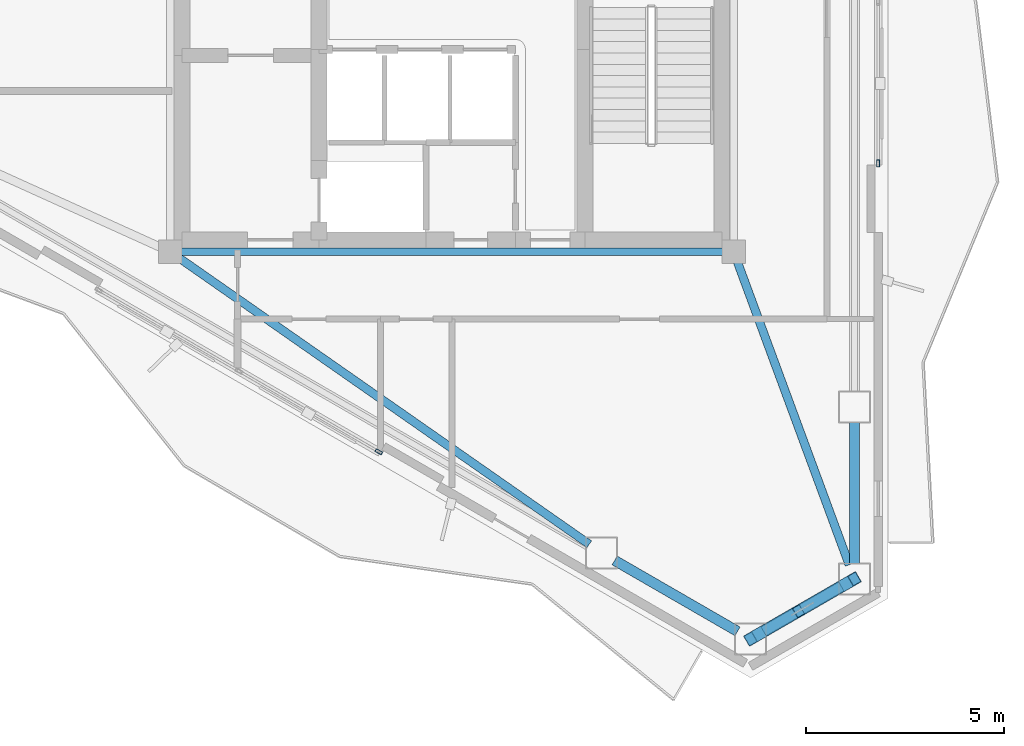
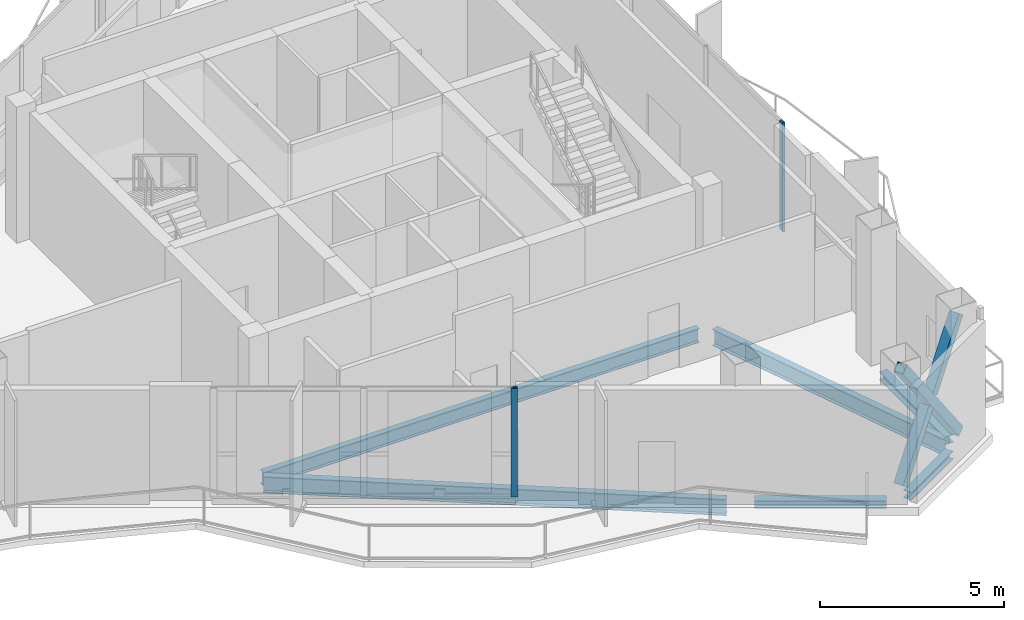
# One storey, part 4 of 14: 6 beams, 5 members, 2 elements without a shape of their own.
"""IFC4 building model written with IfcOpenShell, lengths in metres."""

from ifc_helpers import new_model, si_unit, direction, frame, origin, origin_2d, place, context, subcontext, project, spatial, hollow_rectangle, i_section, extrude, material, layer, layer_set, material_profile, profile_set, type_object, element, aggregate, save


model = new_model("IFC4")

# Units and contexts
model_context = context("Model", 3, precision=1e-05, world=origin(), true_north=direction((0.0, 1.0)))
body_context = subcontext(model_context, "Body", "Model", "MODEL_VIEW")
ifc_project = project(units=[si_unit("LENGTHUNIT", "METRE"), si_unit("AREAUNIT", "SQUARE_METRE"), si_unit("VOLUMEUNIT", "CUBIC_METRE"), si_unit("PLANEANGLEUNIT", "RADIAN"), si_unit("MASSUNIT", "GRAM", prefix="KILO")], contexts=[model_context])

# Site, building, storey
site_placement = place(None, origin())
site = spatial("IfcSite", under=ifc_project, at=site_placement, CompositionType="ELEMENT")
building_placement = place(site_placement, origin())
building = spatial("IfcBuilding", under=site, at=building_placement, Name="Mersakhor Tower and Convention Hall", CompositionType="ELEMENT")
storey_placement = place(building_placement, frame((0.0, 0.0, 254.10009765625)))
storey = spatial("IfcBuildingStorey", under=building, at=storey_placement, Name="L71", CompositionType="ELEMENT", Elevation=254.10009765625)

# Beams
ifc_material_1 = material(Name="Steel S355", Category="steel")
ifc_material_profile_1 = material_profile(ifc_material_1, i_section(OverallWidth=0.19140625, OverallDepth=0.4599609375, WebThickness=0.010009765625, FlangeThickness=0.01611328125, at=origin_2d()), Name="UB 457x191x82")
ifc_profile_set_1 = profile_set([ifc_material_profile_1], Name="Steel S355")
beam_type_1 = type_object("IfcBeamType", Name="BM-FB-457", PredefinedType="BEAM", material=ifc_profile_set_1)
beam_1_placement = place(storey_placement, frame((35.820068359375, 20.449951171875, -0.510009765625), z_axis=(-1.0, 0.0, 0.0), x_axis=(0.0, -1.0, 0.0)))
element("IfcBeam", 1, at=beam_1_placement, inside=storey, type_object=beam_type_1, Name="L71 Core Ring Tie Beam CRB-4", PredefinedType="BEAM", context=body_context, shape_type="SweptSolid", body=[
    extrude(i_section(OverallWidth=0.19140625, OverallDepth=0.4599609375, WebThickness=0.010009765625, FlangeThickness=0.01611328125, at=origin_2d()), origin(), (0.0, 0.0, 1.0), 13.64013671875),
])
ifc_material_2 = material(Name="Steel S355", Category="steel")
ifc_material_profile_2 = material_profile(ifc_material_2, i_section(OverallWidth=0.2099609375, OverallDepth=0.53662109375, WebThickness=0.0107421875, FlangeThickness=0.017333984375, at=origin_2d()), Name="UB 533x210x101")
ifc_profile_set_2 = profile_set([ifc_material_profile_2], Name="Steel S355")
beam_type_2 = type_object("IfcBeamType", Name="BM-FB-533", PredefinedType="BEAM", material=ifc_profile_set_2)
beam_2_placement = place(storey_placement, frame((36.197021484375, 20.187255859375, -0.548583984375), z_axis=(0.346207764595, -0.938157867171, 0.0), x_axis=(0.938157867171, 0.346207764595, 0.0)))
element("IfcBeam", 2, at=beam_2_placement, inside=storey, type_object=beam_type_2, Name="L71 Primary Floor Girder FG-4", PredefinedType="BEAM", context=body_context, shape_type="SweptSolid", body=[
    extrude(i_section(OverallWidth=0.2099609375, OverallDepth=0.53662109375, WebThickness=0.0107421875, FlangeThickness=0.017333984375, at=origin_2d()), origin(), (0.0, 0.0, 1.0), 8.128662109375),
])
beam_3_placement = place(storey_placement, frame((22.129638671875, 20.289794921875, -0.548583984375), z_axis=(0.819954136469, -0.572429221903, 0.0), x_axis=(0.572429221903, 0.819954136469, 0.0)))
element("IfcBeam", 3, at=beam_3_placement, inside=storey, type_object=beam_type_2, Name="L71 Primary Floor Girder FG-5", PredefinedType="BEAM", context=body_context, shape_type="SweptSolid", body=[
    extrude(i_section(OverallWidth=0.2099609375, OverallDepth=0.53662109375, WebThickness=0.0107421875, FlangeThickness=0.017333984375, at=origin_2d()), origin(), (0.0, 0.0, 1.0), 12.598388671875),
])
ifc_material_3 = material(Name="Steel S355", Category="steel")
ifc_material_profile_3 = material_profile(ifc_material_3, i_section(OverallWidth=0.25634765625, OverallDepth=0.26025390625, WebThickness=0.01025390625, FlangeThickness=0.017333984375, at=origin_2d()), Name="UC 254x254x89")
ifc_profile_set_3 = profile_set([ifc_material_profile_3], Name="Steel S355")
beam_type_3 = type_object("IfcBeamType", Name="BM-SPD-UC254", PredefinedType="SPANDREL", material=ifc_profile_set_3)
beam_4_placement = place(storey_placement, frame((39.142822265625, 16.1591796875, -0.41015625), z_axis=(0.0, -1.0, 0.0), x_axis=(1.0, 0.0, 0.0)))
element("IfcBeam", 4, at=beam_4_placement, inside=storey, type_object=beam_type_3, Name="L71 Perimeter Spandrel Beam SPB-07", PredefinedType="SPANDREL", context=body_context, shape_type="SweptSolid", body=[
    extrude(i_section(OverallWidth=0.25634765625, OverallDepth=0.26025390625, WebThickness=0.01025390625, FlangeThickness=0.017333984375, at=origin_2d()), origin(), (0.0, 0.0, 1.0), 3.574462890625),
])
beam_5_placement = place(storey_placement, frame((38.813720703125, 12.0146484375, -0.41015625), z_axis=(-0.866016678684, -0.500015112013, 0.0), x_axis=(0.500015112013, -0.866016678684, 0.0)))
element("IfcBeam", 5, at=beam_5_placement, inside=storey, type_object=beam_type_3, Name="L71 Perimeter Spandrel Beam SPB-08", PredefinedType="SPANDREL", context=body_context, shape_type="SweptSolid", body=[
    extrude(i_section(OverallWidth=0.25634765625, OverallDepth=0.26025390625, WebThickness=0.01025390625, FlangeThickness=0.017333984375, at=origin_2d()), origin(), (0.0, 0.0, 1.0), 2.2626953125),
])
beam_6_placement = place(storey_placement, frame((36.196044921875, 10.88330078125, -0.41015625), z_axis=(-0.866002454009, 0.500039748071, 0.0), x_axis=(-0.500039748071, -0.866002454009, 0.0)))
element("IfcBeam", 6, at=beam_6_placement, inside=storey, type_object=beam_type_3, Name="L71 Perimeter Spandrel Beam SPB-09", PredefinedType="SPANDREL", context=body_context, shape_type="SweptSolid", body=[
    extrude(i_section(OverallWidth=0.25634765625, OverallDepth=0.26025390625, WebThickness=0.01025390625, FlangeThickness=0.017333984375, at=origin_2d()), origin(), (0.0, 0.0, 1.0), 3.574462890625),
])

# Curtain wall, member
ifc_material_4 = material(Name="Dark solar low-E aluminium curtain wall", Category="aluminium")
ifc_layer = layer(ifc_material_4, 0.2099609375)
ifc_layer_set = layer_set([ifc_layer], Name="Dark solar low-E aluminium curtain wall")
curtain_wall_type = type_object("IfcCurtainWallType", Name="CW-SYS-06", PredefinedType="USERDEFINED", material=ifc_layer_set)
curtain_wall_1_placement = place(storey_placement, origin())
curtain_wall_1 = element("IfcCurtainWall", 7, at=curtain_wall_1_placement, inside=storey, type_object=curtain_wall_type, Name="L71 Dark-Glass Curtain Wall F2-B2", ObjectType="CURTAIN WALL", PredefinedType="USERDEFINED")
ifc_material_5 = material(Name="Anodised aluminium EN AW-6063 T6", Category="aluminium")
ifc_material_profile_4 = material_profile(ifc_material_5, hollow_rectangle(XDim=0.080078125, YDim=0.179931640625, WallThickness=0.008056640625, at=origin_2d()), Name="RHS 180x80x8")
ifc_profile_set_4 = profile_set([ifc_material_profile_4], Name="Anodised aluminium EN AW-6063 T6")
member_type_1 = type_object("IfcMemberType", Name="CWM-180x80", PredefinedType="MULLION", material=ifc_profile_set_4)
member_1_placement = place(storey_placement, frame((39.742919921875, 22.676025390625, 0.199951171875), z_axis=(0.0, 0.0, 1.0), x_axis=(1.0, 0.0, 0.0)))
member_1 = element("IfcMember", 8, at=member_1_placement, type_object=member_type_1, Name="CW-06 mullion 3", PredefinedType="MULLION", context=body_context, shape_type="SweptSolid", body=[
    extrude(hollow_rectangle(XDim=0.080078125, YDim=0.179931640625, WallThickness=0.008056640625, at=origin_2d()), origin(), (0.0, 0.0, 1.0), 3.599853515625),
])
aggregate(curtain_wall_1, [member_1])

curtain_wall_2_placement = place(storey_placement, origin())
curtain_wall_2 = element("IfcCurtainWall", 9, at=curtain_wall_2_placement, inside=storey, type_object=curtain_wall_type, Name="L71 Dark-Glass Curtain Wall F3-B2", ObjectType="CURTAIN WALL", PredefinedType="USERDEFINED")
member_2_placement = place(storey_placement, frame((27.15673828125, 15.409423828125, 0.199951171875), z_axis=(0.0, 0.0, 1.0), x_axis=(-0.500004411169, -0.86602285698, 0.0)))
member_2 = element("IfcMember", 10, at=member_2_placement, type_object=member_type_1, Name="CW-06 mullion 1", PredefinedType="MULLION", context=body_context, shape_type="SweptSolid", body=[
    extrude(hollow_rectangle(XDim=0.080078125, YDim=0.179931640625, WallThickness=0.008056640625, at=origin_2d()), origin(), (0.0, 0.0, 1.0), 3.599853515625),
])
aggregate(curtain_wall_2, [member_2])

# Members
ifc_material_6 = material(Name="Steel S355", Category="steel")
ifc_material_profile_5 = material_profile(ifc_material_6, hollow_rectangle(XDim=0.300048828125, YDim=0.300048828125, WallThickness=0.01611328125, at=origin_2d()), Name="SHS 300x300x16")
ifc_profile_set_5 = profile_set([ifc_material_profile_5], Name="Steel S355")
member_type_2 = type_object("IfcMemberType", Name="MB-BRC-SHS300", PredefinedType="BRACE", material=ifc_profile_set_5)
member_3_placement = place(storey_placement, frame((39.142822265625, 12.20458984375, 0.14990234375), z_axis=(-0.53223336692, -0.307267724421, 0.788868929966), x_axis=(0.499978822259, -0.866037630414, 0.0)))
element("IfcMember", 11, at=member_3_placement, inside=storey, type_object=member_type_2, Name="L71 Chamfer Braced Frame Diagonal CB-2A", PredefinedType="BRACE", context=body_context, shape_type="SweptSolid", body=[
    extrude(hollow_rectangle(XDim=0.300048828125, YDim=0.300048828125, WallThickness=0.01611328125, at=origin_2d()), origin(), (0.0, 0.0, 1.0), 4.918212890625),
])
for number, where, z_axis, x_axis, name in (
    (12, (36.525146484375, 10.693359375, 0.14990234375), (0.532209026292, 0.307354433682, 0.78885157313), (-0.500101783836, 0.865966630884, 0.0), "L71 Chamfer Braced Frame Diagonal CB-2B Lower Half"),
    (13, (37.920654296875, 11.4990234375, 2.21826171875), (0.532226414678, 0.307258157895, 0.788877346567), (-0.499972045304, 0.866041542834, 0.0), "L71 Chamfer Braced Frame Diagonal CB-2B Upper Half"),
):
    element("IfcMember", number, at=place(storey_placement, frame(where, z_axis=z_axis, x_axis=x_axis)), inside=storey, type_object=member_type_2, Name=name, PredefinedType="BRACE", context=body_context, shape_type="SweptSolid", body=[
        extrude(hollow_rectangle(XDim=0.300048828125, YDim=0.300048828125, WallThickness=0.01611328125, at=origin_2d()), origin(), (0.0, 0.0, 1.0), 2.29638671875),
    ])

save(model, "model.ifc")
